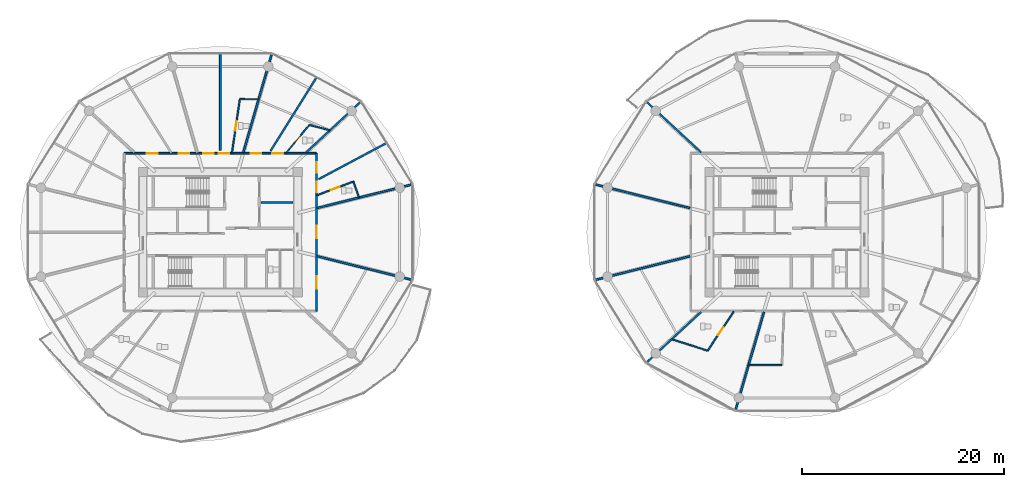
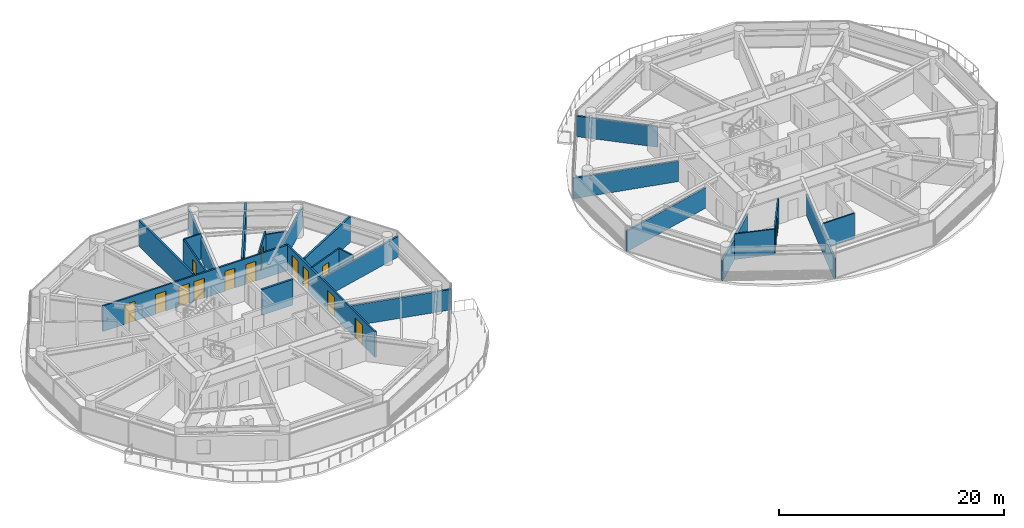
# One storey, part 17 of 27: 24 walls, 14 doors, 14 openings.
"""IFC4 building model written with IfcOpenShell, lengths in metres."""

from ifc_helpers import new_model, si_unit, direction, frame, frame_2d, origin, place, context, subcontext, project, spatial, rectangle, extrude, source, transform, mapped, material, layer, layer_set, type_object, type_shapes, element, fill, save


model = new_model("IFC4")

# Units and contexts
model_context = context("Model", 3, precision=1e-05, world=origin(), true_north=direction((0.0, 1.0)))
body_context = subcontext(model_context, "Body", "Model", "MODEL_VIEW")
ifc_project = project(units=[si_unit("LENGTHUNIT", "METRE"), si_unit("AREAUNIT", "SQUARE_METRE"), si_unit("VOLUMEUNIT", "CUBIC_METRE"), si_unit("PLANEANGLEUNIT", "RADIAN"), si_unit("MASSUNIT", "GRAM", prefix="KILO")], contexts=[model_context])

# Site, building, storey
site_placement = place(None, origin())
site = spatial("IfcSite", under=ifc_project, at=site_placement, CompositionType="ELEMENT")
building_placement = place(site_placement, origin())
building = spatial("IfcBuilding", under=site, at=building_placement, Name="Norrkilde Senior Care Towers", CompositionType="ELEMENT")
storey_placement = place(building_placement, frame((0.0, 0.0, 52.10009765625)))
storey = spatial("IfcBuildingStorey", under=building, at=storey_placement, Name="L15", CompositionType="ELEMENT", Elevation=52.10009765625)

# Wall
ifc_material_1 = material(Name="Concrete C45/55", Category="concrete")
ifc_layer_1 = layer(ifc_material_1, 0.199951171875)
ifc_layer_set_1 = layer_set([ifc_layer_1], Name="Concrete C45/55")
wall_type_1 = type_object("IfcWallType", Name="Shaft Division and Plant Partition 200", PredefinedType="PARTITIONING", material=ifc_layer_set_1)
shared_shape_1 = source(origin(), body_context, "Body", "SweptSolid", [
    extrude(rectangle(XDim=3.199951171875, YDim=0.199951171875, at=frame_2d((1.60009765625, 0.0))), origin(), (0.0, 0.0, 1.0), 2.77490234375),
])
type_shapes(wall_type_1, [shared_shape_1])
wall_1_placement = place(storey_placement, frame((-24.0, 2.949951171875, 0.0), z_axis=(0.0, 0.0, 1.0), x_axis=(1.0, 0.0, 0.0)))
element("IfcWall", 1, at=wall_1_placement, inside=storey, type_object=wall_type_1, Name="WL-INT-L15-W-FFLDIV", PredefinedType="PARTITIONING", context=body_context, shape_type="MappedRepresentation", body=[
    mapped(shared_shape_1, transform((0.0, 0.0, 0.0), x_axis=(1.0, 0.0, 0.0), y_axis=(0.0, 1.0, 0.0), z_axis=(0.0, 0.0, 1.0), scale=1.0)),
])

# Wall, openings, doors
ifc_material_2 = material(Name="Gypsum Acoustic Board")
ifc_layer_2 = layer(ifc_material_2, 0.1650390625)
ifc_layer_set_2 = layer_set([ifc_layer_2], Name="Gypsum Acoustic Board")
wall_type_2 = type_object("IfcWallType", Name="Corridor Rated Partition 165", PredefinedType="PARTITIONING", material=ifc_layer_set_2)
shared_shape_2 = source(origin(), body_context, "Body", "SweptSolid", [
    extrude(rectangle(XDim=19.0, YDim=0.1650390625, at=frame_2d((9.5, 0.0))), origin(), (0.0, 0.0, 1.0), 2.77490234375),
])
wall_2_placement = place(storey_placement, frame((-37.5, 7.800048828125, 0.0), z_axis=(0.0, 0.0, 1.0), x_axis=(1.0, 0.0, 0.0)))
wall_2 = element("IfcWall", 2, at=wall_2_placement, inside=storey, type_object=wall_type_2, Name="WL-INT-L15-W-CRW-N-0", PredefinedType="PARTITIONING", context=body_context, shape_type="MappedRepresentation", body=[
    mapped(shared_shape_2, transform((0.0, 0.0, 0.0), x_axis=(1.0, 0.0, 0.0), y_axis=(0.0, 1.0, 0.0), z_axis=(0.0, 0.0, 1.0), scale=1.0)),
])
opening_1_placement = place(wall_2_placement, frame((14.6533203125, 0.0, 0.0)))
opening_1 = element("IfcOpeningElement", 3, at=opening_1_placement, cuts=wall_2, Name="Opening D-06", PredefinedType="OPENING", context=body_context, shape_type="SweptSolid", body=[
    extrude(rectangle(XDim=1.050048828125, YDim=2.14990234375, at=frame_2d((0.52490234375, 1.074951171875))), frame((0.0, 0.092529296875, 0.0), z_axis=(0.0, -1.0, 0.0), x_axis=(1.0, 0.0, 0.0)), (0.0, 0.0, 1.0), 0.18505859375),
])
opening_2_placement = place(wall_2_placement, frame((12.499755859375, 0.0, 0.0)))
opening_2 = element("IfcOpeningElement", 4, at=opening_2_placement, cuts=wall_2, Name="Opening D-06", PredefinedType="OPENING", context=body_context, shape_type="SweptSolid", body=[
    extrude(rectangle(XDim=1.050048828125, YDim=2.14990234375, at=frame_2d((0.52490234375, 1.074951171875))), frame((0.0, 0.092529296875, 0.0), z_axis=(0.0, -1.0, 0.0), x_axis=(1.0, 0.0, 0.0)), (0.0, 0.0, 1.0), 0.18505859375),
])
opening_3_placement = place(wall_2_placement, frame((9.351806640625, 0.0, 0.0)))
opening_3 = element("IfcOpeningElement", 5, at=opening_3_placement, cuts=wall_2, Name="Opening D-06", PredefinedType="OPENING", context=body_context, shape_type="SweptSolid", body=[
    extrude(rectangle(XDim=1.050048828125, YDim=2.14990234375, at=frame_2d((0.52490234375, 1.074951171875))), frame((0.0, 0.092529296875, 0.0), z_axis=(0.0, -1.0, 0.0), x_axis=(1.0, 0.0, 0.0)), (0.0, 0.0, 1.0), 0.18505859375),
])
opening_4_placement = place(wall_2_placement, frame((7.806396484375, 0.0, 0.0)))
opening_4 = element("IfcOpeningElement", 6, at=opening_4_placement, cuts=wall_2, Name="Opening D-06", PredefinedType="OPENING", context=body_context, shape_type="SweptSolid", body=[
    extrude(rectangle(XDim=1.050048828125, YDim=2.14990234375, at=frame_2d((0.52490234375, 1.074951171875))), frame((0.0, 0.092529296875, 0.0), z_axis=(0.0, -1.0, 0.0), x_axis=(1.0, 0.0, 0.0)), (0.0, 0.0, 1.0), 0.18505859375),
])
opening_5_placement = place(wall_2_placement, frame((5.396240234375, 0.0, 0.0)))
opening_5 = element("IfcOpeningElement", 7, at=opening_5_placement, cuts=wall_2, Name="Opening D-06", PredefinedType="OPENING", context=body_context, shape_type="SweptSolid", body=[
    extrude(rectangle(XDim=1.050048828125, YDim=2.14990234375, at=frame_2d((0.52490234375, 1.074951171875))), frame((0.0, 0.092529296875, 0.0), z_axis=(0.0, -1.0, 0.0), x_axis=(1.0, 0.0, 0.0)), (0.0, 0.0, 1.0), 0.18505859375),
])
opening_6_placement = place(wall_2_placement, frame((2.2509765625, 0.0, 0.0)))
opening_6 = element("IfcOpeningElement", 8, at=opening_6_placement, cuts=wall_2, Name="Opening D-06", PredefinedType="OPENING", context=body_context, shape_type="SweptSolid", body=[
    extrude(rectangle(XDim=1.050048828125, YDim=2.14990234375, at=frame_2d((0.52490234375, 1.074951171875))), frame((0.0, 0.092529296875, 0.0), z_axis=(0.0, -1.0, 0.0), x_axis=(1.0, 0.0, 0.0)), (0.0, 0.0, 1.0), 0.18505859375),
])
ifc_material_3 = material(Name="Nordic Ash Timber", Category="wood")
door_type_1 = type_object("IfcDoorType", Name="Apartment Entrance Fire Door 1050x2150", OperationType="NOTDEFINED", PredefinedType="DOOR", material=ifc_material_3)
shared_shape_3 = source(origin(), body_context, "Body", "SweptSolid", [
    extrude(rectangle(XDim=1.050048828125, YDim=2.14990234375, at=frame_2d((0.52490234375, 1.074951171875))), frame((0.0, 0.02490234375, 0.0), z_axis=(0.0, -1.0, 0.0), x_axis=(1.0, 0.0, 0.0)), (0.0, 0.0, 1.0), 0.050048828125),
])
type_shapes(door_type_1, [shared_shape_3])
door_1_placement = place(opening_1_placement, frame((1.050048828125, 0.0, 0.0), z_axis=(0.0, 0.0, 1.0), x_axis=(-1.0, 0.0, 0.0)))
door_1 = element("IfcDoor", 9, at=door_1_placement, inside=storey, type_object=door_type_1, Name="L15 Care Suite 1501A Entrance Door", OperationType="SINGLE_SWING_RIGHT", OverallHeight=2.14990234375, OverallWidth=1.050048828125, PredefinedType="DOOR", context=body_context, shape_type="MappedRepresentation", body=[
    mapped(shared_shape_3, transform((0.0, 0.0, 0.0), x_axis=(1.0, 0.0, 0.0), y_axis=(0.0, 1.0, 0.0), z_axis=(0.0, 0.0, 1.0), scale=1.0)),
])
fill(opening_1, door_1)
door_2_placement = place(opening_2_placement, frame((1.050048828125, 0.0, 0.0), z_axis=(0.0, 0.0, 1.0), x_axis=(-1.0, 0.0, 0.0)))
door_2 = element("IfcDoor", 10, at=door_2_placement, inside=storey, type_object=door_type_1, Name="L15 Therapy Day Lounge 01 Door", OperationType="SINGLE_SWING_LEFT", OverallHeight=2.14990234375, OverallWidth=1.050048828125, PredefinedType="DOOR", context=body_context, shape_type="MappedRepresentation", body=[
    mapped(shared_shape_3, transform((0.0, 0.0, 0.0), x_axis=(1.0, 0.0, 0.0), y_axis=(0.0, 1.0, 0.0), z_axis=(0.0, 0.0, 1.0), scale=1.0)),
])
fill(opening_2, door_2)
door_3_placement = place(opening_3_placement, frame((1.050048828125, 0.0, 0.0), z_axis=(0.0, 0.0, 1.0), x_axis=(-1.0, 0.0, 0.0)))
door_3 = element("IfcDoor", 11, at=door_3_placement, inside=storey, type_object=door_type_1, Name="L15 Care Suite 1502A Entrance Door", OperationType="SINGLE_SWING_LEFT", OverallHeight=2.14990234375, OverallWidth=1.050048828125, PredefinedType="DOOR", context=body_context, shape_type="MappedRepresentation", body=[
    mapped(shared_shape_3, transform((0.0, 0.0, 0.0), x_axis=(1.0, 0.0, 0.0), y_axis=(0.0, 1.0, 0.0), z_axis=(0.0, 0.0, 1.0), scale=1.0)),
])
fill(opening_3, door_3)
door_4_placement = place(opening_4_placement, frame((1.050048828125, 0.0, 0.0), z_axis=(0.0, 0.0, 1.0), x_axis=(-1.0, 0.0, 0.0)))
door_4 = element("IfcDoor", 12, at=door_4_placement, inside=storey, type_object=door_type_1, Name="L15 Therapy Day Lounge 02 Door", OperationType="SINGLE_SWING_RIGHT", OverallHeight=2.14990234375, OverallWidth=1.050048828125, PredefinedType="DOOR", context=body_context, shape_type="MappedRepresentation", body=[
    mapped(shared_shape_3, transform((0.0, 0.0, 0.0), x_axis=(1.0, 0.0, 0.0), y_axis=(0.0, 1.0, 0.0), z_axis=(0.0, 0.0, 1.0), scale=1.0)),
])
fill(opening_4, door_4)
door_5_placement = place(opening_5_placement, frame((1.050048828125, 0.0, 0.0), z_axis=(0.0, 0.0, 1.0), x_axis=(-1.0, 0.0, 0.0)))
door_5 = element("IfcDoor", 13, at=door_5_placement, inside=storey, type_object=door_type_1, Name="L15 Physiotherapy Clinic 3A Door", OperationType="SINGLE_SWING_RIGHT", OverallHeight=2.14990234375, OverallWidth=1.050048828125, PredefinedType="DOOR", context=body_context, shape_type="MappedRepresentation", body=[
    mapped(shared_shape_3, transform((0.0, 0.0, 0.0), x_axis=(1.0, 0.0, 0.0), y_axis=(0.0, 1.0, 0.0), z_axis=(0.0, 0.0, 1.0), scale=1.0)),
])
fill(opening_5, door_5)
door_6_placement = place(opening_6_placement, frame((1.050048828125, 0.0, 0.0), z_axis=(0.0, 0.0, 1.0), x_axis=(-1.0, 0.0, 0.0)))
door_6 = element("IfcDoor", 14, at=door_6_placement, inside=storey, type_object=door_type_1, Name="L15 Assessment Clinic 3B Door", OperationType="SINGLE_SWING_LEFT", OverallHeight=2.14990234375, OverallWidth=1.050048828125, PredefinedType="DOOR", context=body_context, shape_type="MappedRepresentation", body=[
    mapped(shared_shape_3, transform((0.0, 0.0, 0.0), x_axis=(1.0, 0.0, 0.0), y_axis=(0.0, 1.0, 0.0), z_axis=(0.0, 0.0, 1.0), scale=1.0)),
])
fill(opening_6, door_6)

shared_shape_4 = source(origin(), body_context, "Body", "SweptSolid", [
    extrude(rectangle(XDim=15.60009765625, YDim=0.1650390625, at=frame_2d((7.800048828125, 0.0))), origin(), (0.0, 0.0, 1.0), 2.77490234375),
])
type_shapes(wall_type_2, [shared_shape_2, shared_shape_4])
wall_3_placement = place(storey_placement, frame((-18.5, 7.800048828125, 0.0), z_axis=(0.0, 0.0, 1.0), x_axis=(0.0, -1.0, 0.0)))
wall_3 = element("IfcWall", 15, at=wall_3_placement, inside=storey, type_object=wall_type_2, Name="WL-INT-L15-W-CRW-E-0", PredefinedType="PARTITIONING", context=body_context, shape_type="MappedRepresentation", body=[
    mapped(shared_shape_4, transform((0.0, 0.0, 0.0), x_axis=(1.0, 0.0, 0.0), y_axis=(0.0, 1.0, 0.0), z_axis=(0.0, 0.0, 1.0), scale=1.0)),
])
opening_7_placement = place(wall_3_placement, frame((12.141357421875, 0.0, 0.0)))
opening_7 = element("IfcOpeningElement", 16, at=opening_7_placement, cuts=wall_3, Name="Opening D-05", PredefinedType="OPENING", context=body_context, shape_type="SweptSolid", body=[
    extrude(rectangle(XDim=1.25, YDim=2.199951171875, at=frame_2d((0.625, 1.10009765625))), frame((0.0, 0.092529296875, 0.0), z_axis=(0.0, -1.0, 0.0), x_axis=(1.0, 0.0, 0.0)), (0.0, 0.0, 1.0), 0.18505859375),
])
opening_8_placement = place(wall_3_placement, frame((7.175048828125, 0.0, 0.0)))
opening_8 = element("IfcOpeningElement", 17, at=opening_8_placement, cuts=wall_3, Name="Opening D-05", PredefinedType="OPENING", context=body_context, shape_type="SweptSolid", body=[
    extrude(rectangle(XDim=1.25, YDim=2.199951171875, at=frame_2d((0.625, 1.10009765625))), frame((0.0, 0.092529296875, 0.0), z_axis=(0.0, -1.0, 0.0), x_axis=(1.0, 0.0, 0.0)), (0.0, 0.0, 1.0), 0.18505859375),
])
opening_9_placement = place(wall_3_placement, frame((2.826416015625, 0.0, 0.0)))
opening_9 = element("IfcOpeningElement", 18, at=opening_9_placement, cuts=wall_3, Name="Opening D-06", PredefinedType="OPENING", context=body_context, shape_type="SweptSolid", body=[
    extrude(rectangle(XDim=1.050048828125, YDim=2.14990234375, at=frame_2d((0.52490234375, 1.074951171875))), frame((0.0, 0.092529296875, 0.0), z_axis=(0.0, -1.0, 0.0), x_axis=(1.0, 0.0, 0.0)), (0.0, 0.0, 1.0), 0.18505859375),
])
opening_10_placement = place(wall_3_placement, frame((0.88134765625, 0.0, 0.0)))
opening_10 = element("IfcOpeningElement", 19, at=opening_10_placement, cuts=wall_3, Name="Opening D-06", PredefinedType="OPENING", context=body_context, shape_type="SweptSolid", body=[
    extrude(rectangle(XDim=1.050048828125, YDim=2.14990234375, at=frame_2d((0.52490234375, 1.074951171875))), frame((0.0, 0.092529296875, 0.0), z_axis=(0.0, -1.0, 0.0), x_axis=(1.0, 0.0, 0.0)), (0.0, 0.0, 1.0), 0.18505859375),
])
door_type_2 = type_object("IfcDoorType", Name="Care Bedroom Bariatric Door 1250x2200", OperationType="NOTDEFINED", PredefinedType="DOOR", material=ifc_material_3)
shared_shape_5 = source(origin(), body_context, "Body", "SweptSolid", [
    extrude(rectangle(XDim=1.25, YDim=2.199951171875, at=frame_2d((0.625, 1.10009765625))), frame((0.0, 0.02490234375, 0.0), z_axis=(0.0, -1.0, 0.0), x_axis=(1.0, 0.0, 0.0)), (0.0, 0.0, 1.0), 0.050048828125),
])
type_shapes(door_type_2, [shared_shape_5])
door_7_placement = place(opening_7_placement, frame((1.25, 0.0, 0.0), z_axis=(0.0, 0.0, 1.0), x_axis=(-1.0, 0.0, 0.0)))
door_7 = element("IfcDoor", 20, at=door_7_placement, inside=storey, type_object=door_type_2, Name="L15 Resident Family Conference Room Door", OperationType="SINGLE_SWING_LEFT", OverallHeight=2.199951171875, OverallWidth=1.25, PredefinedType="DOOR", context=body_context, shape_type="MappedRepresentation", body=[
    mapped(shared_shape_5, transform((0.0, 0.0, 0.0), x_axis=(1.0, 0.0, 0.0), y_axis=(0.0, 1.0, 0.0), z_axis=(0.0, 0.0, 1.0), scale=1.0)),
])
fill(opening_7, door_7)
door_8_placement = place(opening_8_placement, frame((1.25, 0.0, 0.0), z_axis=(0.0, 0.0, 1.0), x_axis=(-1.0, 0.0, 0.0)))
door_8 = element("IfcDoor", 21, at=door_8_placement, inside=storey, type_object=door_type_2, Name="L15 Household Therapeutic Kitchen Door", OperationType="SINGLE_SWING_RIGHT", OverallHeight=2.199951171875, OverallWidth=1.25, PredefinedType="DOOR", context=body_context, shape_type="MappedRepresentation", body=[
    mapped(shared_shape_5, transform((0.0, 0.0, 0.0), x_axis=(1.0, 0.0, 0.0), y_axis=(0.0, 1.0, 0.0), z_axis=(0.0, 0.0, 1.0), scale=1.0)),
])
fill(opening_8, door_8)
door_9_placement = place(opening_9_placement, frame((1.050048828125, 0.0, 0.0), z_axis=(0.0, 0.0, 1.0), x_axis=(-1.0, 0.0, 0.0)))
door_9 = element("IfcDoor", 22, at=door_9_placement, inside=storey, type_object=door_type_1, Name="L15 Care Suite 1500A Entrance Door", OperationType="SINGLE_SWING_LEFT", OverallHeight=2.14990234375, OverallWidth=1.050048828125, PredefinedType="DOOR", context=body_context, shape_type="MappedRepresentation", body=[
    mapped(shared_shape_3, transform((0.0, 0.0, 0.0), x_axis=(1.0, 0.0, 0.0), y_axis=(0.0, 1.0, 0.0), z_axis=(0.0, 0.0, 1.0), scale=1.0)),
])
fill(opening_9, door_9)
door_10_placement = place(opening_10_placement, frame((1.050048828125, 0.0, 0.0), z_axis=(0.0, 0.0, 1.0), x_axis=(-1.0, 0.0, 0.0)))
door_10 = element("IfcDoor", 23, at=door_10_placement, inside=storey, type_object=door_type_1, Name="L15 Therapy Day Lounge 00 Door", OperationType="SINGLE_SWING_RIGHT", OverallHeight=2.14990234375, OverallWidth=1.050048828125, PredefinedType="DOOR", context=body_context, shape_type="MappedRepresentation", body=[
    mapped(shared_shape_3, transform((0.0, 0.0, 0.0), x_axis=(1.0, 0.0, 0.0), y_axis=(0.0, 1.0, 0.0), z_axis=(0.0, 0.0, 1.0), scale=1.0)),
])
fill(opening_10, door_10)

# Walls
ifc_layer_3 = layer(ifc_material_2, 0.18994140625)
ifc_layer_set_3 = layer_set([ifc_layer_3], Name="Gypsum Acoustic Board")
wall_type_3 = type_object("IfcWallType", Name="Unit Demising Acoustic Wall 190", PredefinedType="PARTITIONING", material=ifc_layer_set_3)
shared_shape_6 = source(origin(), body_context, "Body", "SweptSolid", [
    extrude(rectangle(XDim=7.4345703125, YDim=0.18994140625, at=frame_2d((3.71728515625, 0.0))), origin(), (0.0, 0.0, 1.0), 2.224853515625),
])
for number, where, z_axis, x_axis, name in (
    (24, (-19.51708984375, 7.8798828125, 0.0), (0.0, 0.0, 1.0), (0.732651956848, 0.680603489652, 0.0), "WL-INT-L15-W-DEM-01-0"),
    (25, (19.51708984375, 7.8798828125, 0.0), (0.0, 0.0, 1.0), (-0.732651956848, 0.680603489652, 0.0), "WL-INT-L15-E-DEM-04-0"),
    (26, (19.51708984375, -7.8798828125, 0.0), (0.0, 0.0, 1.0), (-0.732651956848, -0.680603489652, 0.0), "WL-INT-L15-E-DEM-07-0"),
):
    element("IfcWall", number, at=place(storey_placement, frame(where, z_axis=z_axis, x_axis=x_axis)), inside=storey, type_object=wall_type_3, Name=name, PredefinedType="PARTITIONING", context=body_context, shape_type="MappedRepresentation", body=[
        mapped(shared_shape_6, transform((0.0, 0.0, 0.0), x_axis=(1.0, 0.0, 0.0), y_axis=(0.0, 1.0, 0.0), z_axis=(0.0, 0.0, 1.0), scale=1.0)),
    ])
shared_shape_7 = source(origin(), body_context, "Body", "SweptSolid", [
    extrude(rectangle(XDim=10.196044921875, YDim=0.18994140625, at=frame_2d((5.09814453125, 0.0))), origin(), (0.0, 0.0, 1.0), 2.224853515625),
])
for number, where, z_axis, x_axis, name in (
    (27, (-25.72705078125, 7.8798828125, 0.0), (0.0, 0.0, 1.0), (0.277136420347, 0.960830580549, 0.0), "WL-INT-L15-W-DEM-02-0"),
    (28, (25.72705078125, -7.8798828125, 0.0), (0.0, 0.0, 1.0), (-0.277136420347, -0.960830580549, 0.0), "WL-INT-L15-E-DEM-08-0"),
):
    element("IfcWall", number, at=place(storey_placement, frame(where, z_axis=z_axis, x_axis=x_axis)), inside=storey, type_object=wall_type_3, Name=name, PredefinedType="PARTITIONING", context=body_context, shape_type="MappedRepresentation", body=[
        mapped(shared_shape_7, transform((0.0, 0.0, 0.0), x_axis=(1.0, 0.0, 0.0), y_axis=(0.0, 1.0, 0.0), z_axis=(0.0, 0.0, 1.0), scale=1.0)),
    ])
shared_shape_8 = source(origin(), body_context, "Body", "SweptSolid", [
    extrude(rectangle(XDim=8.59814453125, YDim=0.18994140625, at=frame_2d((4.299072265625, 0.0))), origin(), (0.0, 0.0, 1.0), 2.77490234375),
])
wall_4_placement = place(storey_placement, frame((-23.04296875, 8.017333984375, 0.0), z_axis=(0.0, 0.0, 1.0), x_axis=(0.530039776395, 0.847972779893, 0.0)))
element("IfcWall", 29, at=wall_4_placement, inside=storey, type_object=wall_type_3, Name="WL-INT-L15-W-CMID-01", PredefinedType="PARTITIONING", context=body_context, shape_type="MappedRepresentation", body=[
    mapped(shared_shape_8, transform((0.0, 0.0, 0.0), x_axis=(1.0, 0.0, 0.0), y_axis=(0.0, 1.0, 0.0), z_axis=(0.0, 0.0, 1.0), scale=1.0)),
])

# Wall, opening, door
ifc_layer_4 = layer(ifc_material_2, 0.139892578125)
ifc_layer_set_4 = layer_set([ifc_layer_4], Name="Gypsum Acoustic Board")
wall_type_4 = type_object("IfcWallType", Name="En-suite Wet Room Wall 140", PredefinedType="PARTITIONING", material=ifc_layer_set_4)
shared_shape_9 = source(origin(), body_context, "Body", "SweptSolid", [
    extrude(rectangle(XDim=3.594482421875, YDim=0.139892578125, at=frame_2d((1.79736328125, 0.0))), origin(), (0.0, 0.0, 1.0), 2.77490234375),
])
wall_5_placement = place(storey_placement, frame((-21.49560546875, 7.830078125, 0.0), z_axis=(0.0, 0.0, 1.0), x_axis=(0.639001147083, 0.769205781326, 0.0)))
wall_5 = element("IfcWall", 30, at=wall_5_placement, inside=storey, type_object=wall_type_4, Name="WL-INT-L15-W-ES-01A", PredefinedType="PARTITIONING", context=body_context, shape_type="MappedRepresentation", body=[
    mapped(shared_shape_9, transform((0.0, 0.0, 0.0), x_axis=(1.0, 0.0, 0.0), y_axis=(0.0, 1.0, 0.0), z_axis=(0.0, 0.0, 1.0), scale=1.0)),
])
opening_11_placement = place(wall_5_placement, frame((1.33740234375, 0.0, 0.0)))
opening_11 = element("IfcOpeningElement", 31, at=opening_11_placement, cuts=wall_5, Name="Opening D-08", PredefinedType="OPENING", context=body_context, shape_type="SweptSolid", body=[
    extrude(rectangle(XDim=0.919921875, YDim=2.10009765625, at=frame_2d((0.4599609375, 1.050048828125))), frame((0.0, 0.079833984375, 0.0), z_axis=(0.0, -1.0, 0.0), x_axis=(1.0, 0.0, 0.0)), (0.0, 0.0, 1.0), 0.159912109375),
])
door_type_3 = type_object("IfcDoorType", Name="Accessible Wet Room Door 920x2100", OperationType="NOTDEFINED", PredefinedType="DOOR", material=ifc_material_3)
shared_shape_10 = source(origin(), body_context, "Body", "SweptSolid", [
    extrude(rectangle(XDim=0.919921875, YDim=2.10009765625, at=frame_2d((0.4599609375, 1.050048828125))), frame((0.0, 0.02490234375, 0.0), z_axis=(0.0, -1.0, 0.0), x_axis=(1.0, 0.0, 0.0)), (0.0, 0.0, 1.0), 0.050048828125),
])
type_shapes(door_type_3, [shared_shape_10])
door_11_placement = place(opening_11_placement, origin())
door_11 = element("IfcDoor", 32, at=door_11_placement, inside=storey, type_object=door_type_3, Name="L15 Care Suite 1501A Bathroom Door", OperationType="SINGLE_SWING_LEFT", OverallHeight=2.10009765625, OverallWidth=0.919921875, PredefinedType="DOOR", context=body_context, shape_type="MappedRepresentation", body=[
    mapped(shared_shape_10, transform((0.0, 0.0, 0.0), x_axis=(1.0, 0.0, 0.0), y_axis=(0.0, 1.0, 0.0), z_axis=(0.0, 0.0, 1.0), scale=1.0)),
])
fill(opening_11, door_11)

# Walls
shared_shape_11 = source(origin(), body_context, "Body", "SweptSolid", [
    extrude(rectangle(XDim=2.06201171875, YDim=0.139892578125, at=frame_2d((1.031005859375, 0.0))), origin(), (0.0, 0.0, 1.0), 2.414794921875),
])
wall_6_placement = place(storey_placement, frame((-19.19873046875, 10.594970703125, 0.0), z_axis=(0.0, 0.0, 1.0), x_axis=(0.968776253543, -0.247936626121, 0.0)))
element("IfcWall", 33, at=wall_6_placement, inside=storey, type_object=wall_type_4, Name="WL-INT-L15-W-EF-01A", PredefinedType="PARTITIONING", context=body_context, shape_type="MappedRepresentation", body=[
    mapped(shared_shape_11, transform((0.0, 0.0, 0.0), x_axis=(1.0, 0.0, 0.0), y_axis=(0.0, 1.0, 0.0), z_axis=(0.0, 0.0, 1.0), scale=1.0)),
])
shared_shape_12 = source(origin(), body_context, "Body", "SweptSolid", [
    extrude(rectangle(XDim=9.737060546875, YDim=0.18994140625, at=frame_2d((4.86865234375, 0.0))), origin(), (0.0, 0.0, 1.0), 2.224853515625),
])
for number, where, z_axis, x_axis, name in (
    (34, (-18.419921875, -2.384521484375, 0.0), (0.0, 0.0, 1.0), (0.970392716238, -0.241532557375, 0.0), "WL-INT-L15-W-DEM-11-0"),
    (35, (-18.419921875, 2.384521484375, 0.0), (0.0, 0.0, 1.0), (0.970392716238, 0.241532557375, 0.0), "WL-INT-L15-W-DEM-00-0"),
    (36, (18.419921875, 2.384521484375, 0.0), (0.0, 0.0, 1.0), (-0.970392716238, 0.241532557375, 0.0), "WL-INT-L15-E-DEM-05-0"),
    (37, (18.419921875, -2.384521484375, 0.0), (0.0, 0.0, 1.0), (-0.970392716238, -0.241532557375, 0.0), "WL-INT-L15-E-DEM-06-0"),
):
    element("IfcWall", number, at=place(storey_placement, frame(where, z_axis=z_axis, x_axis=x_axis)), inside=storey, type_object=wall_type_3, Name=name, PredefinedType="PARTITIONING", context=body_context, shape_type="MappedRepresentation", body=[
        mapped(shared_shape_12, transform((0.0, 0.0, 0.0), x_axis=(1.0, 0.0, 0.0), y_axis=(0.0, 1.0, 0.0), z_axis=(0.0, 0.0, 1.0), scale=1.0)),
    ])
shared_shape_13 = source(origin(), body_context, "Body", "SweptSolid", [
    extrude(rectangle(XDim=7.6767578125, YDim=0.18994140625, at=frame_2d((3.83837890625, 0.0))), origin(), (0.0, 0.0, 1.0), 2.77490234375),
])
wall_7_placement = place(storey_placement, frame((-18.296875, 5.23095703125, 0.0), z_axis=(0.0, 0.0, 1.0), x_axis=(0.882725057546, 0.469889851753, 0.0)))
element("IfcWall", 38, at=wall_7_placement, inside=storey, type_object=wall_type_3, Name="WL-INT-L15-W-CMID-00", PredefinedType="PARTITIONING", context=body_context, shape_type="MappedRepresentation", body=[
    mapped(shared_shape_13, transform((0.0, 0.0, 0.0), x_axis=(1.0, 0.0, 0.0), y_axis=(0.0, 1.0, 0.0), z_axis=(0.0, 0.0, 1.0), scale=1.0)),
])

# Wall, opening, door
shared_shape_14 = source(origin(), body_context, "Body", "SweptSolid", [
    extrude(rectangle(XDim=3.8740234375, YDim=0.139892578125, at=frame_2d((1.93701171875, 0.0))), origin(), (0.0, 0.0, 1.0), 2.77490234375),
])
wall_8_placement = place(storey_placement, frame((-18.469970703125, 3.631591796875, 0.0), z_axis=(0.0, 0.0, 1.0), x_axis=(0.934461775659, 0.35606346321, 0.0)))
wall_8 = element("IfcWall", 39, at=wall_8_placement, inside=storey, type_object=wall_type_4, Name="WL-INT-L15-W-ES-00A", PredefinedType="PARTITIONING", context=body_context, shape_type="MappedRepresentation", body=[
    mapped(shared_shape_14, transform((0.0, 0.0, 0.0), x_axis=(1.0, 0.0, 0.0), y_axis=(0.0, 1.0, 0.0), z_axis=(0.0, 0.0, 1.0), scale=1.0)),
])
opening_12_placement = place(wall_8_placement, frame((1.47705078125, 0.0, 0.0)))
opening_12 = element("IfcOpeningElement", 40, at=opening_12_placement, cuts=wall_8, Name="Opening D-08", PredefinedType="OPENING", context=body_context, shape_type="SweptSolid", body=[
    extrude(rectangle(XDim=0.919921875, YDim=2.10009765625, at=frame_2d((0.4599609375, 1.050048828125))), frame((0.0, 0.079833984375, 0.0), z_axis=(0.0, -1.0, 0.0), x_axis=(1.0, 0.0, 0.0)), (0.0, 0.0, 1.0), 0.159912109375),
])
door_12_placement = place(opening_12_placement, origin())
door_12 = element("IfcDoor", 41, at=door_12_placement, inside=storey, type_object=door_type_3, Name="L15 Care Suite 1500A Bathroom Door", OperationType="SINGLE_SWING_RIGHT", OverallHeight=2.10009765625, OverallWidth=0.919921875, PredefinedType="DOOR", context=body_context, shape_type="MappedRepresentation", body=[
    mapped(shared_shape_10, transform((0.0, 0.0, 0.0), x_axis=(1.0, 0.0, 0.0), y_axis=(0.0, 1.0, 0.0), z_axis=(0.0, 0.0, 1.0), scale=1.0)),
])
fill(opening_12, door_12)

# Walls
shared_shape_15 = source(origin(), body_context, "Body", "SweptSolid", [
    extrude(rectangle(XDim=1.67578125, YDim=0.139892578125, at=frame_2d((0.837890625, 0.0))), origin(), (0.0, 0.0, 1.0), 2.77490234375),
])
wall_9_placement = place(storey_placement, frame((-14.849853515625, 5.010986328125, 0.0), z_axis=(0.0, 0.0, 1.0), x_axis=(0.327785970556, -0.944752008469, 0.0)))
element("IfcWall", 42, at=wall_9_placement, inside=storey, type_object=wall_type_4, Name="WL-INT-L15-W-EF-00A", PredefinedType="PARTITIONING", context=body_context, shape_type="MappedRepresentation", body=[
    mapped(shared_shape_15, transform((0.0, 0.0, 0.0), x_axis=(1.0, 0.0, 0.0), y_axis=(0.0, 1.0, 0.0), z_axis=(0.0, 0.0, 1.0), scale=1.0)),
])
shared_shape_16 = source(origin(), body_context, "Body", "SweptSolid", [
    extrude(rectangle(XDim=9.6005859375, YDim=0.18994140625, at=frame_2d((4.80029296875, 0.0))), origin(), (0.0, 0.0, 1.0), 2.77490234375),
])
type_shapes(wall_type_3, [shared_shape_6, shared_shape_7, shared_shape_8, shared_shape_12, shared_shape_13, shared_shape_16])
wall_10_placement = place(storey_placement, frame((-28.0, 8.075927734375, 0.0), z_axis=(0.0, 0.0, 1.0), x_axis=(0.0, 1.0, 0.0)))
element("IfcWall", 43, at=wall_10_placement, inside=storey, type_object=wall_type_3, Name="WL-INT-L15-W-CMID-02", PredefinedType="PARTITIONING", context=body_context, shape_type="MappedRepresentation", body=[
    mapped(shared_shape_16, transform((0.0, 0.0, 0.0), x_axis=(1.0, 0.0, 0.0), y_axis=(0.0, 1.0, 0.0), z_axis=(0.0, 0.0, 1.0), scale=1.0)),
])

# Wall, opening, door
shared_shape_17 = source(origin(), body_context, "Body", "SweptSolid", [
    extrude(rectangle(XDim=5.36962890625, YDim=0.139892578125, at=frame_2d((2.684814453125, 0.0))), origin(), (0.0, 0.0, 1.0), 2.77490234375),
])
wall_11_placement = place(storey_placement, frame((-26.851318359375, 7.830078125, 0.0), z_axis=(0.0, 0.0, 1.0), x_axis=(0.145131397853, 0.989412389935, 0.0)))
wall_11 = element("IfcWall", 44, at=wall_11_placement, inside=storey, type_object=wall_type_4, Name="WL-INT-L15-W-ES-02A", PredefinedType="PARTITIONING", context=body_context, shape_type="MappedRepresentation", body=[
    mapped(shared_shape_17, transform((0.0, 0.0, 0.0), x_axis=(1.0, 0.0, 0.0), y_axis=(0.0, 1.0, 0.0), z_axis=(0.0, 0.0, 1.0), scale=1.0)),
])
opening_13_placement = place(wall_11_placement, frame((2.224853515625, 0.0, 0.0)))
opening_13 = element("IfcOpeningElement", 45, at=opening_13_placement, cuts=wall_11, Name="Opening D-08", PredefinedType="OPENING", context=body_context, shape_type="SweptSolid", body=[
    extrude(rectangle(XDim=0.919921875, YDim=2.10009765625, at=frame_2d((0.4599609375, 1.050048828125))), frame((0.0, 0.079833984375, 0.0), z_axis=(0.0, -1.0, 0.0), x_axis=(1.0, 0.0, 0.0)), (0.0, 0.0, 1.0), 0.159912109375),
])
door_13_placement = place(opening_13_placement, origin())
door_13 = element("IfcDoor", 46, at=door_13_placement, inside=storey, type_object=door_type_3, Name="L15 Care Suite 1502A Bathroom Door", OperationType="SINGLE_SWING_RIGHT", OverallHeight=2.10009765625, OverallWidth=0.919921875, PredefinedType="DOOR", context=body_context, shape_type="MappedRepresentation", body=[
    mapped(shared_shape_10, transform((0.0, 0.0, 0.0), x_axis=(1.0, 0.0, 0.0), y_axis=(0.0, 1.0, 0.0), z_axis=(0.0, 0.0, 1.0), scale=1.0)),
])
fill(opening_13, door_13)

# Wall
shared_shape_18 = source(origin(), body_context, "Body", "SweptSolid", [
    extrude(rectangle(XDim=1.842529296875, YDim=0.139892578125, at=frame_2d((0.92138671875, 0.0))), origin(), (0.0, 0.0, 1.0), 2.77490234375),
])
wall_12_placement = place(storey_placement, frame((-26.072021484375, 13.142822265625, 0.0), z_axis=(0.0, 0.0, 1.0), x_axis=(0.999998937801, -0.001457531246, 0.0)))
element("IfcWall", 47, at=wall_12_placement, inside=storey, type_object=wall_type_4, Name="WL-INT-L15-W-EF-02A", PredefinedType="PARTITIONING", context=body_context, shape_type="MappedRepresentation", body=[
    mapped(shared_shape_18, transform((0.0, 0.0, 0.0), x_axis=(1.0, 0.0, 0.0), y_axis=(0.0, 1.0, 0.0), z_axis=(0.0, 0.0, 1.0), scale=1.0)),
])

# Wall, opening, door
shared_shape_19 = source(origin(), body_context, "Body", "SweptSolid", [
    extrude(rectangle(XDim=4.667724609375, YDim=0.139892578125, at=frame_2d((2.333984375, 0.0))), origin(), (0.0, 0.0, 1.0), 2.77490234375),
])
wall_13_placement = place(storey_placement, frame((22.76025390625, -7.830078125, 0.0), z_axis=(0.0, 0.0, 1.0), x_axis=(-0.55615986029, -0.83107533341, 0.0)))
wall_13 = element("IfcWall", 48, at=wall_13_placement, inside=storey, type_object=wall_type_4, Name="WL-INT-L15-E-ES-07", PredefinedType="PARTITIONING", context=body_context, shape_type="MappedRepresentation", body=[
    mapped(shared_shape_19, transform((0.0, 0.0, 0.0), x_axis=(1.0, 0.0, 0.0), y_axis=(0.0, 1.0, 0.0), z_axis=(0.0, 0.0, 1.0), scale=1.0)),
])
opening_14_placement = place(wall_13_placement, frame((1.873779296875, 0.0, 0.0)))
opening_14 = element("IfcOpeningElement", 49, at=opening_14_placement, cuts=wall_13, Name="Opening D-08", PredefinedType="OPENING", context=body_context, shape_type="SweptSolid", body=[
    extrude(rectangle(XDim=0.919921875, YDim=2.10009765625, at=frame_2d((0.4599609375, 1.050048828125))), frame((0.0, 0.079833984375, 0.0), z_axis=(0.0, -1.0, 0.0), x_axis=(1.0, 0.0, 0.0)), (0.0, 0.0, 1.0), 0.159912109375),
])
door_14_placement = place(opening_14_placement, origin())
door_14 = element("IfcDoor", 50, at=door_14_placement, inside=storey, type_object=door_type_3, Name="L15 Studio 15D Bathroom Door", OperationType="SINGLE_SWING_LEFT", OverallHeight=2.10009765625, OverallWidth=0.919921875, PredefinedType="DOOR", context=body_context, shape_type="MappedRepresentation", body=[
    mapped(shared_shape_10, transform((0.0, 0.0, 0.0), x_axis=(1.0, 0.0, 0.0), y_axis=(0.0, 1.0, 0.0), z_axis=(0.0, 0.0, 1.0), scale=1.0)),
])
fill(opening_14, door_14)

# Walls
shared_shape_20 = source(origin(), body_context, "Body", "SweptSolid", [
    extrude(rectangle(XDim=3.68408203125, YDim=0.139892578125, at=frame_2d((1.842041015625, 0.0))), origin(), (0.0, 0.0, 1.0), 2.77490234375),
])
wall_14_placement = place(storey_placement, frame((20.164306640625, -11.709228515625, 0.0), z_axis=(0.0, 0.0, 1.0), x_axis=(-0.953245538614, 0.302196861518, 0.0)))
element("IfcWall", 51, at=wall_14_placement, inside=storey, type_object=wall_type_4, Name="WL-INT-L15-E-EF-07", PredefinedType="PARTITIONING", context=body_context, shape_type="MappedRepresentation", body=[
    mapped(shared_shape_20, transform((0.0, 0.0, 0.0), x_axis=(1.0, 0.0, 0.0), y_axis=(0.0, 1.0, 0.0), z_axis=(0.0, 0.0, 1.0), scale=1.0)),
])
shared_shape_21 = source(origin(), body_context, "Body", "SweptSolid", [
    extrude(rectangle(XDim=3.279052734375, YDim=0.139892578125, at=frame_2d((1.6396484375, 0.0))), origin(), (0.0, 0.0, 1.0), 2.77490234375),
])
type_shapes(wall_type_4, [shared_shape_9, shared_shape_11, shared_shape_14, shared_shape_15, shared_shape_17, shared_shape_18, shared_shape_19, shared_shape_20, shared_shape_21])
wall_15_placement = place(storey_placement, frame((27.508544921875, -13.142822265625, 0.0), z_axis=(0.0, 0.0, 1.0), x_axis=(-0.999999664619, 0.000819000544, 0.0)))
element("IfcWall", 52, at=wall_15_placement, inside=storey, type_object=wall_type_4, Name="WL-INT-L15-E-EF-08", PredefinedType="PARTITIONING", context=body_context, shape_type="MappedRepresentation", body=[
    mapped(shared_shape_21, transform((0.0, 0.0, 0.0), x_axis=(1.0, 0.0, 0.0), y_axis=(0.0, 1.0, 0.0), z_axis=(0.0, 0.0, 1.0), scale=1.0)),
])

save(model, "model.ifc")
